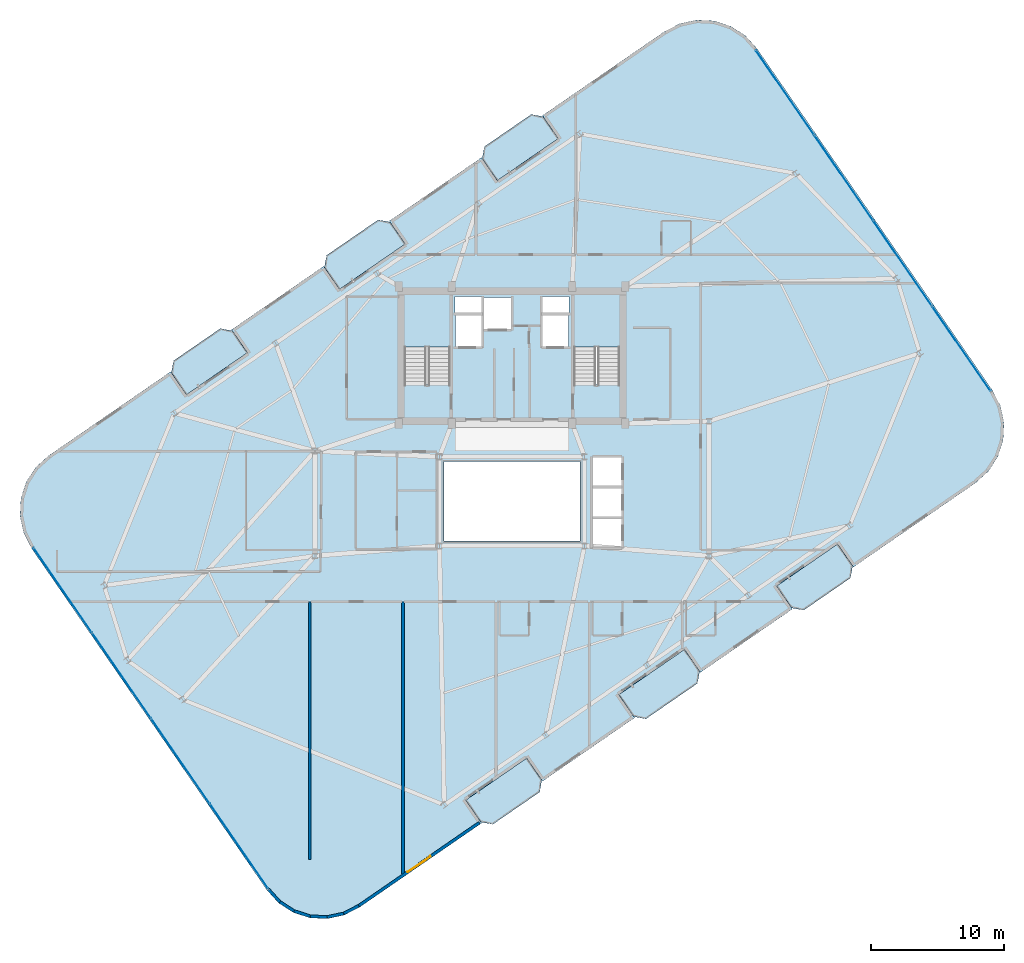
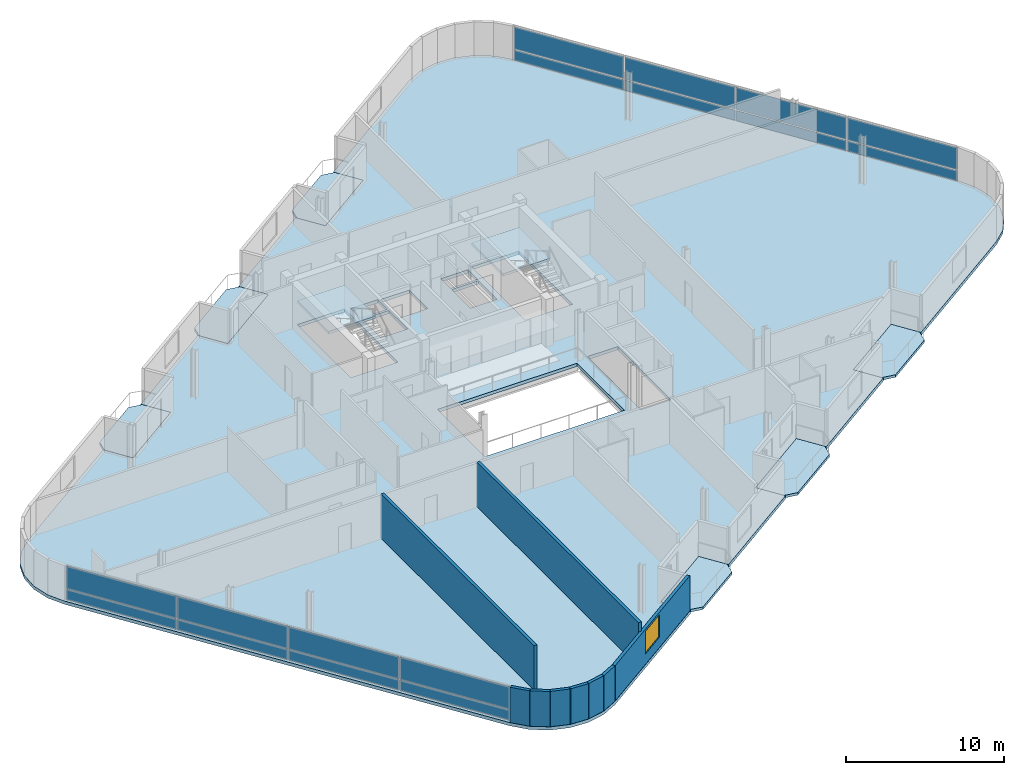
# One storey, part 13 of 21: 16 plates, 9 slabs, 9 walls, 1 window, 1 opening, 4 elements without a shape of their own.
"""IFC4 building model written with IfcOpenShell, lengths in metres."""

import ifcopenshell
import ifcopenshell.guid

model = None  # the IFC model being written
_history = None  # IfcOwnerHistory: only IFC2X3 demands one
_inside = {}  # id of a spatial element -> (the spatial element, [elements in it])
_under = {}  # id of a project, library or spatial element -> (it, [spatial elements below it])
_declared = {}  # id of a project -> (the project, [libraries it declares])
_typed = {}  # id of a type object -> (the type object, [elements of that type])
_made_of = {}  # id of a material, layer set ... -> (it, [elements and type objects made of it])


def new_model(schema):
    """Start an empty IFC model of exactly this schema.

    Asked for "IFC4X3", IfcOpenShell would pick the latest addendum, in which some entities
    have other attributes; the version numbers below select the first issue.
    IFC2X3 requires an IfcOwnerHistory on every rooted entity: one is made here for all.
    """
    global model, _history
    if schema == "IFC4X3":
        model = ifcopenshell.file(schema_version=(4, 3, 0, 0))
    else:
        model = ifcopenshell.file(schema=schema)
    _inside.clear()
    _under.clear()
    _declared.clear()
    _typed.clear()
    _made_of.clear()
    _history = None
    if model.schema == "IFC2X3":
        org = make("IfcOrganization", Name="unknown")
        user = make(
            "IfcPersonAndOrganization",
            ThePerson=make("IfcPerson", FamilyName="unknown"),
            TheOrganization=org,
        )
        app = make(
            "IfcApplication",
            ApplicationDeveloper=org,
            Version="unknown",
            ApplicationFullName="unknown",
            ApplicationIdentifier="unknown",
        )
        _history = make(
            "IfcOwnerHistory",
            OwningUser=user,
            OwningApplication=app,
            ChangeAction="ADDED",
            CreationDate=0,
        )
    return model


def make(cls, **values):
    """One entity of the class cls with the attributes given. An attribute that is None is left unset."""
    return model.create_entity(
        cls, **{name: value for name, value in values.items() if value is not None}
    )


def rooted(cls, **values):
    """An entity with a GlobalId (a new one), such as an element, a storey or a relation."""
    return make(cls, GlobalId=ifcopenshell.guid.new(), OwnerHistory=_history, **values)


def si_unit(unit_type, name, prefix=None):
    """IfcSIUnit, for example si_unit("LENGTHUNIT", "METRE", prefix="MILLI")."""
    return make("IfcSIUnit", UnitType=unit_type, Prefix=prefix, Name=name)


def assignment(units):
    """IfcUnitAssignment: the units of a project."""
    return None if units is None else make("IfcUnitAssignment", Units=units)


def point(xyz):
    """IfcCartesianPoint."""
    return None if xyz is None else make("IfcCartesianPoint", Coordinates=xyz)


def direction(xyz):
    """IfcDirection."""
    return None if xyz is None else make("IfcDirection", DirectionRatios=xyz)


def frame(location, z_axis=None, x_axis=None):
    """IfcAxis2Placement3D, a coordinate frame: its origin and axes. An axis left out is left unset."""
    return make(
        "IfcAxis2Placement3D",
        Location=point(location),
        Axis=direction(z_axis),
        RefDirection=direction(x_axis),
    )


def frame_2d(location, x_axis=None):
    """IfcAxis2Placement2D, a coordinate frame in the plane: its origin and x axis."""
    return make(
        "IfcAxis2Placement2D", Location=point(location), RefDirection=direction(x_axis)
    )


def origin():
    """The frame at (0, 0, 0) with its axes left unset."""
    return frame((0.0, 0.0, 0.0))


def origin_2d():
    """The frame at (0, 0) in the plane with its x axis left unset."""
    return frame_2d((0.0, 0.0))


def place(relative_to, where):
    """IfcLocalPlacement: puts the frame where relative to a parent placement (None: the world)."""
    return make(
        "IfcLocalPlacement", PlacementRelTo=relative_to, RelativePlacement=where
    )


def context(
    kind, dimensions, precision=None, world=None, true_north=None, identifier=None
):
    """IfcGeometricRepresentationContext, for example the 3D "Model" context."""
    return make(
        "IfcGeometricRepresentationContext",
        ContextIdentifier=identifier,
        ContextType=kind,
        CoordinateSpaceDimension=dimensions,
        Precision=precision,
        WorldCoordinateSystem=world,
        TrueNorth=true_north,
    )


def subcontext(parent, identifier, kind, view, scale=None):
    """IfcGeometricRepresentationSubContext, for example "Body" below "Model"."""
    return make(
        "IfcGeometricRepresentationSubContext",
        ContextIdentifier=identifier,
        ContextType=kind,
        ParentContext=parent,
        TargetScale=scale,
        TargetView=view,
    )


def project(units=None, contexts=None):
    """IfcProject with its units and contexts."""
    return rooted(
        "IfcProject",
        Name="project",
        RepresentationContexts=contexts,
        UnitsInContext=assignment(units),
    )


def spatial(cls, under=None, at=None, **own):
    """A site, building, storey or space (cls), placed at a placement, below another one or the project."""
    s = rooted(cls, ObjectPlacement=at, **own)
    if under is not None:
        _under.setdefault(under.id(), (under, []))[1].append(s)
    return s


def polyline(points):
    """IfcPolyline through the points."""
    return make("IfcPolyline", Points=[point(p) for p in points])


def profile(cls, at=None, kind="AREA", **sizes):
    """A parametric profile (cls). Its sizes go by their IFC names, for example OverallWidth=200.0."""
    return make(cls, ProfileType=kind, Position=at, **sizes)


def rectangle(**sizes):
    """IfcRectangleProfileDef."""
    return profile("IfcRectangleProfileDef", **sizes)


def outline(outer, holes=None, kind="AREA"):
    """IfcArbitraryClosedProfileDef: a profile drawn as a closed curve; with holes, ...WithVoids."""
    if holes is None:
        return make("IfcArbitraryClosedProfileDef", ProfileType=kind, OuterCurve=outer)
    return make(
        "IfcArbitraryProfileDefWithVoids",
        ProfileType=kind,
        OuterCurve=outer,
        InnerCurves=holes,
    )


def extrude(swept, where, along, depth):
    """IfcExtrudedAreaSolid: the profile swept, set in the frame where, extruded along a direction by depth."""
    return make(
        "IfcExtrudedAreaSolid",
        SweptArea=swept,
        Position=where,
        ExtrudedDirection=direction(along),
        Depth=depth,
    )


def shape(context_of_items, identifier, shape_type, items):
    """IfcShapeRepresentation: the items that make up one representation, for example the "Body"."""
    return make(
        "IfcShapeRepresentation",
        ContextOfItems=context_of_items,
        RepresentationIdentifier=identifier,
        RepresentationType=shape_type,
        Items=items,
    )


def source(mapping_origin, context_of_items, identifier, shape_type, items):
    """IfcRepresentationMap: a shape defined once, which mapped items show again and again."""
    return make(
        "IfcRepresentationMap",
        MappingOrigin=mapping_origin,
        MappedRepresentation=shape(context_of_items, identifier, shape_type, items),
    )


def transform(
    local_origin,
    x_axis=None,
    y_axis=None,
    z_axis=None,
    scale=None,
    scale2=None,
    scale3=None,
    uniform=True,
):
    """IfcCartesianTransformationOperator3D, or its non-uniform kind. x_axis, y_axis, z_axis: its Axis1, 2, 3."""
    if uniform:
        return make(
            "IfcCartesianTransformationOperator3D",
            Axis1=direction(x_axis),
            Axis2=direction(y_axis),
            LocalOrigin=point(local_origin),
            Scale=scale,
            Axis3=direction(z_axis),
        )
    return make(
        "IfcCartesianTransformationOperator3DnonUniform",
        Axis1=direction(x_axis),
        Axis2=direction(y_axis),
        LocalOrigin=point(local_origin),
        Scale=scale,
        Axis3=direction(z_axis),
        Scale2=scale2,
        Scale3=scale3,
    )


def mapped(mapping_source, mapping_target):
    """IfcMappedItem: shows the shape of a source again, moved by a transform."""
    return make(
        "IfcMappedItem", MappingSource=mapping_source, MappingTarget=mapping_target
    )


def material(Name=None, Category=None):
    """IfcMaterial."""
    return make("IfcMaterial", Name=Name, Category=Category)


def layer(
    of_material, thickness, ventilated=None, Name=None, Category=None, Priority=None
):
    """IfcMaterialLayer: one layer of a wall or slab, of a material (None: an air gap)."""
    return make(
        "IfcMaterialLayer",
        Material=of_material,
        LayerThickness=thickness,
        IsVentilated=ventilated,
        Name=Name,
        Category=Category,
        Priority=Priority,
    )


def layer_set(layers, Name=None):
    """IfcMaterialLayerSet."""
    return make("IfcMaterialLayerSet", MaterialLayers=layers, LayerSetName=Name)


def made_of(thing, what):
    """Note that an element or type object is made of a material, layer set ...; save() writes the relation."""
    if what is not None:
        _made_of.setdefault(what.id(), (what, []))[1].append(thing)
    return thing


def type_object(cls, material=None, **own):
    """A type object (cls), such as IfcWallType, which elements share."""
    return made_of(rooted(cls, **own), material)


def element(
    cls,
    number,
    at=None,
    inside=None,
    cuts=None,
    type_object=None,
    material=None,
    context=None,
    identifier="Body",
    shape_type=None,
    held_by="IfcProductDefinitionShape",
    body=None,
    shapes=None,
    **own,
):
    """One element of the class cls, such as IfcWall. Its Tag is "e" and its number.

    at: its placement. inside: the storey or other place that contains it. cuts: it is an
    opening in that element (IfcRelVoidsElement). A single representation is given by context,
    identifier, shape_type and body (its items); several are given by shapes. held_by: the class
    of the entity that holds the representations. save() writes the other relations.
    """
    e = rooted(cls, Tag="e%d" % number, ObjectPlacement=at, **own)
    if body is not None:
        shapes = [shape(context, identifier, shape_type, body)]
    if shapes is not None:
        e.Representation = make(held_by, Representations=shapes)
    if inside is not None:
        _inside.setdefault(inside.id(), (inside, []))[1].append(e)
    if cuts is not None:
        rooted(
            "IfcRelVoidsElement", RelatingBuildingElement=cuts, RelatedOpeningElement=e
        )
    if type_object is not None:
        _typed.setdefault(type_object.id(), (type_object, []))[1].append(e)
    return made_of(e, material)


def fill(opening, filler):
    """IfcRelFillsElement: the door or window that sits in an opening."""
    return rooted(
        "IfcRelFillsElement",
        RelatingOpeningElement=opening,
        RelatedBuildingElement=filler,
    )


def aggregate(whole, parts):
    """IfcRelAggregates: a whole, such as a stair, and the parts it consists of."""
    return rooted("IfcRelAggregates", RelatingObject=whole, RelatedObjects=parts)


def save(model, path):
    """Write the relations noted so far, then the file.

    IfcRelAggregates (storeys below a building ...), IfcRelContainedInSpatialStructure (elements
    in a storey), IfcRelDefinesByType, IfcRelAssociatesMaterial and IfcRelDeclares: one each for
    every whole, place, type object, material and project.
    """
    for whole, parts in _under.values():
        aggregate(whole, parts)
    for where, things in _inside.values():
        rooted(
            "IfcRelContainedInSpatialStructure",
            RelatedElements=things,
            RelatingStructure=where,
        )
    for kind, things in _typed.values():
        rooted("IfcRelDefinesByType", RelatedObjects=things, RelatingType=kind)
    for what, things in _made_of.values():
        rooted("IfcRelAssociatesMaterial", RelatedObjects=things, RelatingMaterial=what)
    for by, libraries in _declared.values():
        rooted("IfcRelDeclares", RelatingContext=by, RelatedDefinitions=libraries)
    model.write(path)


model = new_model("IFC4")

# Units and contexts
model_context = context("Model", 3, precision=1e-05, world=origin(), true_north=direction((0.0, 1.0)))
body_context = subcontext(model_context, "Body", "Model", "MODEL_VIEW")
ifc_project = project(units=[si_unit("LENGTHUNIT", "METRE"), si_unit("AREAUNIT", "SQUARE_METRE"), si_unit("VOLUMEUNIT", "CUBIC_METRE"), si_unit("PLANEANGLEUNIT", "RADIAN"), si_unit("MASSUNIT", "GRAM", prefix="KILO")], contexts=[model_context])

# Site, building, storey
site_placement = place(None, origin())
site = spatial("IfcSite", under=ifc_project, at=site_placement, CompositionType="ELEMENT")
building_placement = place(site_placement, origin())
building = spatial("IfcBuilding", under=site, at=building_placement, Name="Varnelok Gate Tower", CompositionType="ELEMENT")
storey_placement = place(building_placement, frame((0.0, 0.0, 265.60009765625)))
storey = spatial("IfcBuildingStorey", under=building, at=storey_placement, Name="L68", CompositionType="ELEMENT", Elevation=265.60009765625)

# Slabs
ifc_material_1 = material(Name="Concrete C45/55", Category="concrete")
ifc_layer_1 = layer(ifc_material_1, 0.199951171875)
ifc_layer_set_1 = layer_set([ifc_layer_1], Name="Concrete C45/55")
slab_type_1 = type_object("IfcSlabType", Name="SLB-BALC-200", PredefinedType="FLOOR", material=ifc_layer_set_1)
slab_1_placement = place(storey_placement, frame((0.0, 0.0, -0.2001953125)))
element("IfcSlab", 1, at=slab_1_placement, inside=storey, type_object=slab_type_1, Name="L68 South Hollow Balcony 1", PredefinedType="FLOOR", context=body_context, shape_type="SweptSolid", body=[
    extrude(outline(polyline([(36.856201171875, -1.207275390625), (37.76025390625, -1.373779296875), (41.274169921875, 1.046630859375), (41.440673828125, 1.95068359375), (40.30615234375, 3.597900390625), (35.7216796875, 0.439697265625), (36.856201171875, -1.207275390625)])), origin(), (0.0, 0.0, 1.0), 0.2001953125),
])
slab_2_placement = place(storey_placement, frame((0.0, 0.0, -0.2001953125)))
element("IfcSlab", 2, at=slab_2_placement, inside=storey, type_object=slab_type_1, Name="L68 South Hollow Balcony 2", PredefinedType="FLOOR", context=body_context, shape_type="SweptSolid", body=[
    extrude(outline(polyline([(48.3583984375, 6.7158203125), (49.262451171875, 6.54931640625), (53.133056640625, 9.21533203125), (53.299560546875, 10.119384765625), (52.1650390625, 11.7666015625), (47.223876953125, 8.36279296875), (48.3583984375, 6.7158203125)])), origin(), (0.0, 0.0, 1.0), 0.2001953125),
])
slab_3_placement = place(storey_placement, frame((0.0, 0.0, -0.2001953125)))
element("IfcSlab", 3, at=slab_3_placement, inside=storey, type_object=slab_type_1, Name="L68 South Hollow Balcony 3", PredefinedType="FLOOR", context=body_context, shape_type="SweptSolid", body=[
    extrude(outline(polyline([(60.21728515625, 14.884521484375), (61.121337890625, 14.718017578125), (64.63525390625, 17.138427734375), (64.802001953125, 18.04248046875), (63.66748046875, 19.689453125), (59.082763671875, 16.531494140625), (60.21728515625, 14.884521484375)])), origin(), (0.0, 0.0, 1.0), 0.2001953125),
])
slab_4_placement = place(storey_placement, frame((0.0, 0.0, -0.2001953125)))
element("IfcSlab", 4, at=slab_4_placement, inside=storey, type_object=slab_type_1, Name="L68 North Hollow Balcony 1", PredefinedType="FLOOR", context=body_context, shape_type="SweptSolid", body=[
    extrude(outline(polyline([(14.732666015625, 30.910400390625), (19.3173828125, 34.068603515625), (18.1826171875, 35.715576171875), (17.27880859375, 35.882080078125), (13.7646484375, 33.461669921875), (13.59814453125, 32.5576171875), (14.732666015625, 30.910400390625)])), origin(), (0.0, 0.0, 1.0), 0.2001953125),
])
slab_5_placement = place(storey_placement, frame((0.0, 0.0, -0.2001953125)))
element("IfcSlab", 5, at=slab_5_placement, inside=storey, type_object=slab_type_1, Name="L68 North Hollow Balcony 2", PredefinedType="FLOOR", context=body_context, shape_type="SweptSolid", body=[
    extrude(outline(polyline([(26.23486328125, 38.83349609375), (31.176025390625, 42.2373046875), (30.04150390625, 43.88427734375), (29.1376953125, 44.05078125), (25.26708984375, 41.384521484375), (25.100341796875, 40.480712890625), (26.23486328125, 38.83349609375)])), origin(), (0.0, 0.0, 1.0), 0.2001953125),
])
slab_6_placement = place(storey_placement, frame((0.0, 0.0, -0.2001953125)))
element("IfcSlab", 6, at=slab_6_placement, inside=storey, type_object=slab_type_1, Name="L68 North Hollow Balcony 3", PredefinedType="FLOOR", context=body_context, shape_type="SweptSolid", body=[
    extrude(outline(polyline([(38.09375, 47.002197265625), (42.678466796875, 50.16015625), (41.5439453125, 51.807373046875), (40.639892578125, 51.973876953125), (37.125732421875, 49.55322265625), (36.959228515625, 48.6494140625), (38.09375, 47.002197265625)])), origin(), (0.0, 0.0, 1.0), 0.2001953125),
])

# Stair, slab
ifc_material_2 = material(Name="Concrete C50/60", Category="concrete")
stair_type = type_object("IfcStairType", Name="STR-CORE-1650", PredefinedType="HALF_TURN_STAIR", material=ifc_material_2)
stair_1_placement = place(storey_placement, origin())
stair_1 = element("IfcStair", 7, at=stair_1_placement, inside=storey, type_object=stair_type, Name="L68 Exit Stair ST-1", PredefinedType="HALF_TURN_STAIR")
ifc_layer_2 = layer(ifc_material_1, 0.199951171875)
ifc_layer_set_2 = layer_set([ifc_layer_2], Name="Concrete C45/55")
slab_type_2 = type_object("IfcSlabType", Name="SLB-LAND-200", PredefinedType="LANDING", material=ifc_layer_set_2)
slab_7_placement = place(storey_placement, frame((0.0, 0.0, 1.64990234375)))
slab_7 = element("IfcSlab", 8, at=slab_7_placement, type_object=slab_type_2, Name="ST-1 landing 1", PredefinedType="LANDING", context=body_context, shape_type="SweptSolid", body=[
    extrude(outline(polyline([(34.550048828125, 34.5), (34.550048828125, 38.449951171875), (31.10009765625, 38.449951171875), (31.10009765625, 34.5), (34.550048828125, 34.5)])), origin(), (0.0, 0.0, 1.0), 0.199951171875),
])
aggregate(stair_1, [slab_7])

stair_2_placement = place(storey_placement, origin())
stair_2 = element("IfcStair", 9, at=stair_2_placement, inside=storey, type_object=stair_type, Name="L68 Exit Stair ST-2", PredefinedType="HALF_TURN_STAIR")
slab_8_placement = place(storey_placement, frame((0.0, 0.0, 1.64990234375)))
slab_8 = element("IfcSlab", 10, at=slab_8_placement, type_object=slab_type_2, Name="ST-2 landing 1", PredefinedType="LANDING", context=body_context, shape_type="SweptSolid", body=[
    extrude(outline(polyline([(47.300048828125, 34.5), (47.300048828125, 38.449951171875), (43.85009765625, 38.449951171875), (43.85009765625, 34.5), (47.300048828125, 34.5)])), origin(), (0.0, 0.0, 1.0), 0.199951171875),
])
aggregate(stair_2, [slab_8])

# Slab
ifc_layer_3 = layer(ifc_material_2, 0.25)
ifc_layer_set_3 = layer_set([ifc_layer_3], Name="Concrete C50/60")
slab_type_3 = type_object("IfcSlabType", Name="SLB-TYP-250", PredefinedType="FLOOR", material=ifc_layer_set_3)
slab_9_placement = place(storey_placement, frame((0.0, 0.0, -0.25)))
element("IfcSlab", 11, at=slab_9_placement, inside=storey, type_object=slab_type_3, Name="L68 Structural Floor Slab", PredefinedType="FLOOR", context=body_context, shape_type="SweptSolid", body=[
    extrude(outline(polyline([(20.79052734375, -6.32373046875), (21.664794921875, -7.292724609375), (22.76025390625, -8.00244140625), (24.002197265625, -8.404541015625), (25.3056640625, -8.471435546875), (26.58203125, -8.19873046875), (27.744384765625, -7.60498046875), (36.25439453125, -1.7431640625), (36.912841796875, -1.28955078125), (35.7216796875, 0.439697265625), (40.30615234375, 3.597900390625), (41.49755859375, 1.868408203125), (48.4150390625, 6.63330078125), (47.223876953125, 8.36279296875), (52.1650390625, 11.7666015625), (53.356201171875, 10.037109375), (60.27392578125, 14.802001953125), (59.082763671875, 16.531494140625), (63.66748046875, 19.689453125), (64.858642578125, 17.960205078125), (65.51708984375, 18.413818359375), (74.027099609375, 24.275390625), (74.99609375, 25.14990234375), (75.705810546875, 26.245361328125), (76.10791015625, 27.487060546875), (76.1748046875, 28.79052734375), (75.902099609375, 30.067138671875), (75.308349609375, 31.2294921875), (57.609619140625, 56.923583984375), (56.735107421875, 57.892822265625), (55.6396484375, 58.6025390625), (54.39794921875, 59.00439453125), (53.094482421875, 59.071533203125), (51.81787109375, 58.798828125), (50.655517578125, 58.205078125), (42.145751953125, 52.34326171875), (41.487060546875, 51.8896484375), (42.678466796875, 50.16015625), (38.09375, 47.002197265625), (36.902587890625, 48.731689453125), (29.98486328125, 43.966552734375), (31.176025390625, 42.2373046875), (26.23486328125, 38.83349609375), (25.043701171875, 40.56298828125), (18.1259765625, 35.7978515625), (19.3173828125, 34.068603515625), (14.732666015625, 30.910400390625), (13.54150390625, 32.639892578125), (12.8828125, 32.186279296875), (4.373046875, 26.324462890625), (3.40380859375, 25.4501953125), (2.694091796875, 24.354736328125), (2.292236328125, 23.11279296875), (2.22509765625, 21.809326171875), (2.497802734375, 20.532958984375), (3.091796875, 19.37060546875), (20.79052734375, -6.32373046875)]), holes=[polyline([(34.550048828125, 31.679931640625), (34.550048828125, 38.449951171875), (31.10009765625, 38.449951171875), (31.10009765625, 31.679931640625), (34.550048828125, 31.679931640625)]), polyline([(47.300048828125, 31.679931640625), (47.300048828125, 38.449951171875), (43.85009765625, 38.449951171875), (43.85009765625, 31.679931640625), (47.300048828125, 31.679931640625)]), polyline([(34.949951171875, 34.550048828125), (36.89990234375, 34.550048828125), (36.89990234375, 36.89990234375), (34.949951171875, 36.89990234375), (34.949951171875, 34.550048828125)]), polyline([(41.5, 34.550048828125), (43.449951171875, 34.550048828125), (43.449951171875, 36.89990234375), (41.5, 36.89990234375), (41.5, 34.550048828125)]), polyline([(37.050048828125, 35.85009765625), (39.14990234375, 35.85009765625), (39.14990234375, 38.199951171875), (37.050048828125, 38.199951171875), (37.050048828125, 35.85009765625)]), polyline([(45.25, 19.449951171875), (47.449951171875, 19.449951171875), (47.449951171875, 26.199951171875), (45.25, 26.199951171875), (45.25, 19.449951171875)]), polyline([(34.919921875, 37.080078125), (36.89990234375, 37.080078125), (36.89990234375, 38.280029296875), (34.919921875, 38.280029296875), (34.919921875, 37.080078125)]), polyline([(41.5, 37.080078125), (43.47998046875, 37.080078125), (43.47998046875, 38.280029296875), (41.5, 38.280029296875), (41.5, 37.080078125)]), polyline([(34.10009765625, 19.89990234375), (44.300048828125, 19.89990234375), (44.300048828125, 25.89990234375), (34.10009765625, 25.89990234375), (34.10009765625, 19.89990234375)])]), origin(), (0.0, 0.0, 1.0), 0.25),
])

# Curtain wall, plates
ifc_material_3 = material(Name="Anodized Aluminum Alloy 6063-T6", Category="aluminium")
ifc_layer_4 = layer(ifc_material_3, 0.179931640625)
ifc_layer_set_4 = layer_set([ifc_layer_4], Name="Anodized Aluminum Alloy 6063-T6")
curtain_wall_type = type_object("IfcCurtainWallType", Name="CW4-RESIDENCE-VISION", PredefinedType="USERDEFINED", material=ifc_layer_set_4)
curtain_wall_1_placement = place(storey_placement, origin())
curtain_wall_1 = element("IfcCurtainWall", 12, at=curtain_wall_1_placement, inside=storey, type_object=curtain_wall_type, Name="L68 West End Vision Curtain Wall", ObjectType="UNITISED CURTAIN WALL", PredefinedType="USERDEFINED")
ifc_material_4 = material(Name="Low-E Laminated Double Glazing IGU", Category="glass")
ifc_layer_5 = layer(ifc_material_4, 0.035888671875)
ifc_layer_set_5 = layer_set([ifc_layer_5], Name="Low-E Laminated Double Glazing IGU")
plate_type = type_object("IfcPlateType", Name="CW-PNL-IGU36", PredefinedType="CURTAIN_PANEL", material=ifc_layer_set_5)
shared_shape_1 = source(origin(), body_context, "Body", "SweptSolid", [
    extrude(rectangle(XDim=7.6875, YDim=0.035888671875, at=origin_2d()), origin(), (0.0, 0.0, 1.0), 0.78759765625),
])
plate_1_placement = place(storey_placement, frame((18.682861328125, -3.01708984375, 0.074951171875), z_axis=(0.0, 0.0, 1.0), x_axis=(-0.567269395376, 0.823532290241, 0.0)))
plate_1 = element("IfcPlate", 13, at=plate_1_placement, type_object=plate_type, Name="CW4 panel 1.1", PredefinedType="CURTAIN_PANEL", context=body_context, shape_type="MappedRepresentation", body=[
    mapped(shared_shape_1, transform((0.0, 0.0, 0.0), scale=1.0)),
])
plate_2_placement = place(storey_placement, frame((5.429931640625, 16.22265625, 0.074951171875), z_axis=(0.0, 0.0, 1.0), x_axis=(-0.567269395376, 0.823532290241, 0.0)))
plate_2 = element("IfcPlate", 14, at=plate_2_placement, type_object=plate_type, Name="CW4 panel 4.1", PredefinedType="CURTAIN_PANEL", context=body_context, shape_type="MappedRepresentation", body=[
    mapped(shared_shape_1, transform((0.0, 0.0, 0.0), scale=1.0)),
])

curtain_wall_2_placement = place(storey_placement, origin())
curtain_wall_2 = element("IfcCurtainWall", 15, at=curtain_wall_2_placement, inside=storey, type_object=curtain_wall_type, Name="L68 East End Vision Curtain Wall", ObjectType="UNITISED CURTAIN WALL", PredefinedType="USERDEFINED")
plate_3_placement = place(storey_placement, frame((59.71728515625, 53.6171875, 0.074951171875), z_axis=(0.0, 0.0, 1.0), x_axis=(0.567269395376, -0.823532290241, 0.0)))
plate_3 = element("IfcPlate", 16, at=plate_3_placement, type_object=plate_type, Name="CW4 panel 1.1", PredefinedType="CURTAIN_PANEL", context=body_context, shape_type="MappedRepresentation", body=[
    mapped(shared_shape_1, transform((0.0, 0.0, 0.0), scale=1.0)),
])
plate_4_placement = place(storey_placement, frame((72.969970703125, 34.377197265625, 0.074951171875), z_axis=(0.0, 0.0, 1.0), x_axis=(0.567269395376, -0.823532290241, 0.0)))
plate_4 = element("IfcPlate", 17, at=plate_4_placement, type_object=plate_type, Name="CW4 panel 4.1", PredefinedType="CURTAIN_PANEL", context=body_context, shape_type="MappedRepresentation", body=[
    mapped(shared_shape_1, transform((0.0, 0.0, 0.0), scale=1.0)),
])

# Plate
shared_shape_2 = source(origin(), body_context, "Body", "SweptSolid", [
    extrude(rectangle(XDim=7.6875, YDim=0.035888671875, at=origin_2d()), origin(), (0.0, 0.0, 1.0), 1.717529296875),
])
plate_5_placement = place(storey_placement, frame((18.682861328125, -3.01708984375, 0.9375), z_axis=(0.0, 0.0, 1.0), x_axis=(-0.567269395376, 0.823532290241, 0.0)))
plate_5 = element("IfcPlate", 18, at=plate_5_placement, type_object=plate_type, Name="CW4 panel 1.2", PredefinedType="CURTAIN_PANEL", context=body_context, shape_type="MappedRepresentation", body=[
    mapped(shared_shape_2, transform((0.0, 0.0, 0.0), scale=1.0)),
])

plate_6_placement = place(storey_placement, frame((5.429931640625, 16.22265625, 0.9375), z_axis=(0.0, 0.0, 1.0), x_axis=(-0.567269395376, 0.823532290241, 0.0)))
plate_6 = element("IfcPlate", 19, at=plate_6_placement, type_object=plate_type, Name="CW4 panel 4.2", PredefinedType="CURTAIN_PANEL", context=body_context, shape_type="MappedRepresentation", body=[
    mapped(shared_shape_2, transform((0.0, 0.0, 0.0), scale=1.0)),
])

plate_7_placement = place(storey_placement, frame((59.71728515625, 53.6171875, 0.9375), z_axis=(0.0, 0.0, 1.0), x_axis=(0.567269395376, -0.823532290241, 0.0)))
plate_7 = element("IfcPlate", 20, at=plate_7_placement, type_object=plate_type, Name="CW4 panel 1.2", PredefinedType="CURTAIN_PANEL", context=body_context, shape_type="MappedRepresentation", body=[
    mapped(shared_shape_2, transform((0.0, 0.0, 0.0), scale=1.0)),
])

plate_8_placement = place(storey_placement, frame((72.969970703125, 34.377197265625, 0.9375), z_axis=(0.0, 0.0, 1.0), x_axis=(0.567269395376, -0.823532290241, 0.0)))
plate_8 = element("IfcPlate", 21, at=plate_8_placement, type_object=plate_type, Name="CW4 panel 4.2", PredefinedType="CURTAIN_PANEL", context=body_context, shape_type="MappedRepresentation", body=[
    mapped(shared_shape_2, transform((0.0, 0.0, 0.0), scale=1.0)),
])

shared_shape_3 = source(origin(), body_context, "Body", "SweptSolid", [
    extrude(rectangle(XDim=7.72509765625, YDim=0.035888671875, at=origin_2d()), origin(), (0.0, 0.0, 1.0), 0.78759765625),
])
plate_9_placement = place(storey_placement, frame((14.268798828125, 3.39111328125, 0.074951171875), z_axis=(0.0, 0.0, 1.0), x_axis=(-0.567269395376, 0.823532290241, 0.0)))
plate_9 = element("IfcPlate", 22, at=plate_9_placement, type_object=plate_type, Name="CW4 panel 2.1", PredefinedType="CURTAIN_PANEL", context=body_context, shape_type="MappedRepresentation", body=[
    mapped(shared_shape_3, transform((0.0, 0.0, 0.0), scale=1.0)),
])

plate_10_placement = place(storey_placement, frame((9.843994140625, 9.814453125, 0.074951171875), z_axis=(0.0, 0.0, 1.0), x_axis=(-0.567269395376, 0.823532290241, 0.0)))
plate_10 = element("IfcPlate", 23, at=plate_10_placement, type_object=plate_type, Name="CW4 panel 3.1", PredefinedType="CURTAIN_PANEL", context=body_context, shape_type="MappedRepresentation", body=[
    mapped(shared_shape_3, transform((0.0, 0.0, 0.0), scale=1.0)),
])

plate_11_placement = place(storey_placement, frame((64.13134765625, 47.208984375, 0.074951171875), z_axis=(0.0, 0.0, 1.0), x_axis=(0.567269395376, -0.823532290241, 0.0)))
plate_11 = element("IfcPlate", 24, at=plate_11_placement, type_object=plate_type, Name="CW4 panel 2.1", PredefinedType="CURTAIN_PANEL", context=body_context, shape_type="MappedRepresentation", body=[
    mapped(shared_shape_3, transform((0.0, 0.0, 0.0), scale=1.0)),
])

plate_12_placement = place(storey_placement, frame((68.555908203125, 40.785400390625, 0.074951171875), z_axis=(0.0, 0.0, 1.0), x_axis=(0.567269395376, -0.823532290241, 0.0)))
plate_12 = element("IfcPlate", 25, at=plate_12_placement, type_object=plate_type, Name="CW4 panel 3.1", PredefinedType="CURTAIN_PANEL", context=body_context, shape_type="MappedRepresentation", body=[
    mapped(shared_shape_3, transform((0.0, 0.0, 0.0), scale=1.0)),
])

shared_shape_4 = source(origin(), body_context, "Body", "SweptSolid", [
    extrude(rectangle(XDim=7.72509765625, YDim=0.035888671875, at=origin_2d()), origin(), (0.0, 0.0, 1.0), 1.717529296875),
])
plate_13_placement = place(storey_placement, frame((14.268798828125, 3.39111328125, 0.9375), z_axis=(0.0, 0.0, 1.0), x_axis=(-0.567269395376, 0.823532290241, 0.0)))
plate_13 = element("IfcPlate", 26, at=plate_13_placement, type_object=plate_type, Name="CW4 panel 2.2", PredefinedType="CURTAIN_PANEL", context=body_context, shape_type="MappedRepresentation", body=[
    mapped(shared_shape_4, transform((0.0, 0.0, 0.0), scale=1.0)),
])

plate_14_placement = place(storey_placement, frame((9.843994140625, 9.814453125, 0.9375), z_axis=(0.0, 0.0, 1.0), x_axis=(-0.567269395376, 0.823532290241, 0.0)))
plate_14 = element("IfcPlate", 27, at=plate_14_placement, type_object=plate_type, Name="CW4 panel 3.2", PredefinedType="CURTAIN_PANEL", context=body_context, shape_type="MappedRepresentation", body=[
    mapped(shared_shape_4, transform((0.0, 0.0, 0.0), scale=1.0)),
])

aggregate(curtain_wall_1, [plate_1, plate_5, plate_9, plate_13, plate_10, plate_14, plate_2, plate_6])

plate_15_placement = place(storey_placement, frame((64.13134765625, 47.208984375, 0.9375), z_axis=(0.0, 0.0, 1.0), x_axis=(0.567269395376, -0.823532290241, 0.0)))
plate_15 = element("IfcPlate", 28, at=plate_15_placement, type_object=plate_type, Name="CW4 panel 2.2", PredefinedType="CURTAIN_PANEL", context=body_context, shape_type="MappedRepresentation", body=[
    mapped(shared_shape_4, transform((0.0, 0.0, 0.0), scale=1.0)),
])

plate_16_placement = place(storey_placement, frame((68.555908203125, 40.785400390625, 0.9375), z_axis=(0.0, 0.0, 1.0), x_axis=(0.567269395376, -0.823532290241, 0.0)))
plate_16 = element("IfcPlate", 29, at=plate_16_placement, type_object=plate_type, Name="CW4 panel 3.2", PredefinedType="CURTAIN_PANEL", context=body_context, shape_type="MappedRepresentation", body=[
    mapped(shared_shape_4, transform((0.0, 0.0, 0.0), scale=1.0)),
])

aggregate(curtain_wall_2, [plate_3, plate_7, plate_11, plate_15, plate_12, plate_16, plate_4, plate_8])

# Walls
ifc_layer_6 = layer(ifc_material_1, 0.219970703125)
ifc_layer_set_6 = layer_set([ifc_layer_6], Name="Concrete C45/55")
wall_type_1 = type_object("IfcWallType", Name="EW-BALC-220", PredefinedType="SOLIDWALL", material=ifc_layer_set_6)
wall_1_placement = place(storey_placement, frame((20.89013671875, -6.255126953125, 0.0), z_axis=(0.0, 0.0, 1.0), x_axis=(0.669949059844, -0.74240706975, 0.0)))
element("IfcWall", 30, at=wall_1_placement, inside=storey, type_object=wall_type_1, Name="L68 Perimeter Facade Closure Wall 1", PredefinedType="SOLIDWALL", context=body_context, shape_type="SweptSolid", body=[
    extrude(rectangle(XDim=1.273681640625, YDim=0.219970703125, at=frame_2d((0.63671875, 0.0))), origin(), (0.0, 0.0, 1.0), 2.72998046875),
])
for number, where, z_axis, x_axis, name in (
    (31, (21.764404296875, -7.21435546875, 0.0), (0.0, 0.0, 1.0), (0.839229000731, -0.543778157277, 0.0), "L68 Perimeter Facade Closure Wall 2"),
    (32, (22.836181640625, -7.90087890625, 0.0), (0.0, 0.0, 1.0), (0.951385542995, -0.308002513919, 0.0), "L68 Perimeter Facade Closure Wall 3"),
    (33, (24.049072265625, -8.286865234375, 0.0), (0.0, 0.0, 1.0), (0.998686637427, -0.051234756022, 0.0), "L68 Perimeter Facade Closure Wall 4"),
):
    element("IfcWall", number, at=place(storey_placement, frame(where, z_axis=z_axis, x_axis=x_axis)), inside=storey, type_object=wall_type_1, Name=name, PredefinedType="SOLIDWALL", context=body_context, shape_type="SweptSolid", body=[
        extrude(rectangle(XDim=1.24853515625, YDim=0.219970703125, at=frame_2d((0.624267578125, 0.0))), origin(), (0.0, 0.0, 1.0), 2.72998046875),
    ])
wall_2_placement = place(storey_placement, frame((25.3203125, -8.345703125, 0.0), z_axis=(0.0, 0.0, 1.0), x_axis=(0.977916710262, 0.208994994656, 0.0)))
element("IfcWall", 34, at=wall_2_placement, inside=storey, type_object=wall_type_1, Name="L68 Perimeter Facade Closure Wall 5", PredefinedType="SOLIDWALL", context=body_context, shape_type="SweptSolid", body=[
    extrude(rectangle(XDim=1.248779296875, YDim=0.219970703125, at=frame_2d((0.62451171875, 0.0))), origin(), (0.0, 0.0, 1.0), 2.72998046875),
])
wall_3_placement = place(storey_placement, frame((26.563720703125, -8.073486328125, 0.0), z_axis=(0.0, 0.0, 1.0), x_axis=(0.890508147271, 0.454967295137, 0.0)))
element("IfcWall", 35, at=wall_3_placement, inside=storey, type_object=wall_type_1, Name="L68 Perimeter Facade Closure Wall 6", PredefinedType="SOLIDWALL", context=body_context, shape_type="SweptSolid", body=[
    extrude(rectangle(XDim=1.2568359375, YDim=0.219970703125, at=frame_2d((0.62841796875, 0.0))), origin(), (0.0, 0.0, 1.0), 2.72998046875),
])

# Wall, opening, window
wall_4_placement = place(storey_placement, frame((27.70361328125, -7.487548828125, 0.0), z_axis=(0.0, 0.0, 1.0), x_axis=(0.823529068157, 0.567274073003, 0.0)))
wall_4 = element("IfcWall", 36, at=wall_4_placement, inside=storey, type_object=wall_type_1, Name="L68 Perimeter Facade Closure Wall 7", PredefinedType="SOLIDWALL", context=body_context, shape_type="SweptSolid", body=[
    extrude(rectangle(XDim=10.980224609375, YDim=0.219970703125, at=frame_2d((5.490234375, 0.0))), origin(), (0.0, 0.0, 1.0), 2.72998046875),
])
opening_placement = place(wall_4_placement, frame((4.440185546875, 0.0, 0.800048828125)))
opening = element("IfcOpeningElement", 37, at=opening_placement, cuts=wall_4, Name="Opening WN4", PredefinedType="OPENING", context=body_context, shape_type="SweptSolid", body=[
    extrude(rectangle(XDim=2.10009765625, YDim=1.75, at=frame_2d((1.050048828125, 0.875))), frame((0.0, 0.119873046875, 0.0), z_axis=(0.0, -1.0, 0.0), x_axis=(1.0, 0.0, 0.0)), (0.0, 0.0, 1.0), 0.239990234375),
])
window_type = type_object("IfcWindowType", Name="WN-SUI-2100", PartitioningType="SINGLE_PANEL", PredefinedType="WINDOW", material=ifc_material_4)
window_placement = place(opening_placement, origin())
window = element("IfcWindow", 38, at=window_placement, inside=storey, type_object=window_type, Name="L68 Perimeter Vision Window 7", OverallHeight=1.75, OverallWidth=2.10009765625, PartitioningType="SINGLE_PANEL", PredefinedType="WINDOW", context=body_context, shape_type="SweptSolid", body=[
    extrude(rectangle(XDim=2.10009765625, YDim=1.75, at=frame_2d((1.050048828125, 0.875))), frame((0.0, 0.030029296875, 0.0), z_axis=(0.0, -1.0, 0.0), x_axis=(1.0, 0.0, 0.0)), (0.0, 0.0, 1.0), 0.06005859375),
])
fill(opening, window)

# Walls
ifc_material_5 = material(Name="Gypsum Plasterboard Acoustic Partition", Category="gypsum")
ifc_layer_7 = layer(ifc_material_5, 0.205078125)
ifc_layer_set_7 = layer_set([ifc_layer_7], Name="Gypsum Plasterboard Acoustic Partition")
wall_type_2 = type_object("IfcWallType", Name="PW-PARTY-200", PredefinedType="PARTITIONING", material=ifc_layer_set_7)
wall_5_placement = place(storey_placement, frame((24.0, -4.0, 0.0), z_axis=(0.0, 0.0, 1.0), x_axis=(0.0, 1.0, 0.0)))
element("IfcWall", 39, at=wall_5_placement, inside=storey, type_object=wall_type_2, Name="L68 South Party Wall 1", PredefinedType="PARTITIONING", context=body_context, shape_type="SweptSolid", body=[
    extrude(rectangle(XDim=19.35009765625, YDim=0.205078125, at=frame_2d((9.675048828125, 0.0))), origin(), (0.0, 0.0, 1.0), 3.449951171875),
])
wall_6_placement = place(storey_placement, frame((31.0, -5.11181640625, 0.0), z_axis=(0.0, 0.0, 1.0), x_axis=(0.0, 1.0, 0.0)))
element("IfcWall", 40, at=wall_6_placement, inside=storey, type_object=wall_type_2, Name="L68 South Party Wall 2", PredefinedType="PARTITIONING", context=body_context, shape_type="SweptSolid", body=[
    extrude(rectangle(XDim=20.4619140625, YDim=0.205078125, at=frame_2d((10.23095703125, 0.0))), origin(), (0.0, 0.0, 1.0), 3.449951171875),
])

save(model, "model.ifc")
